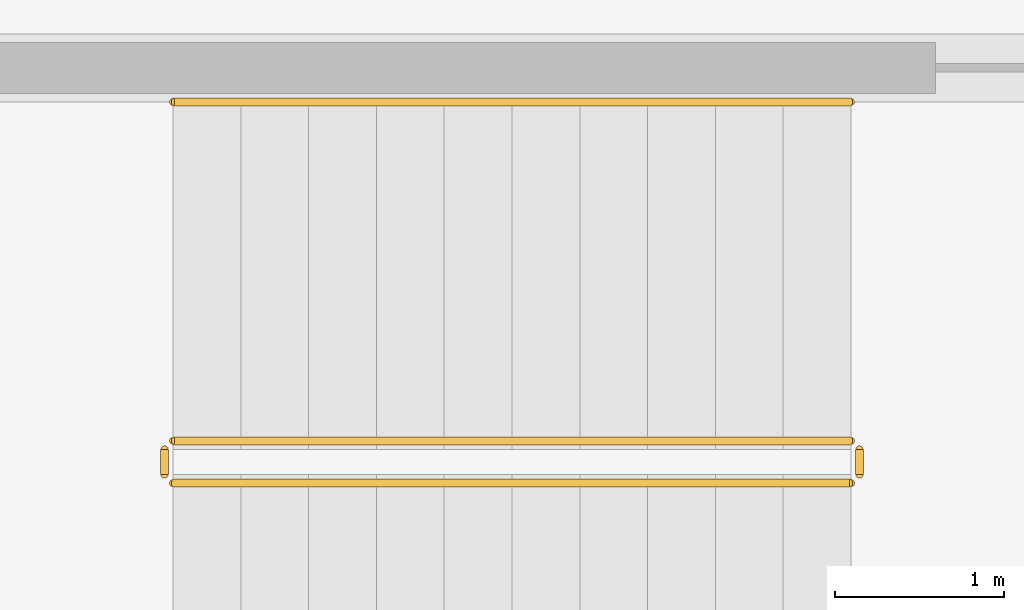
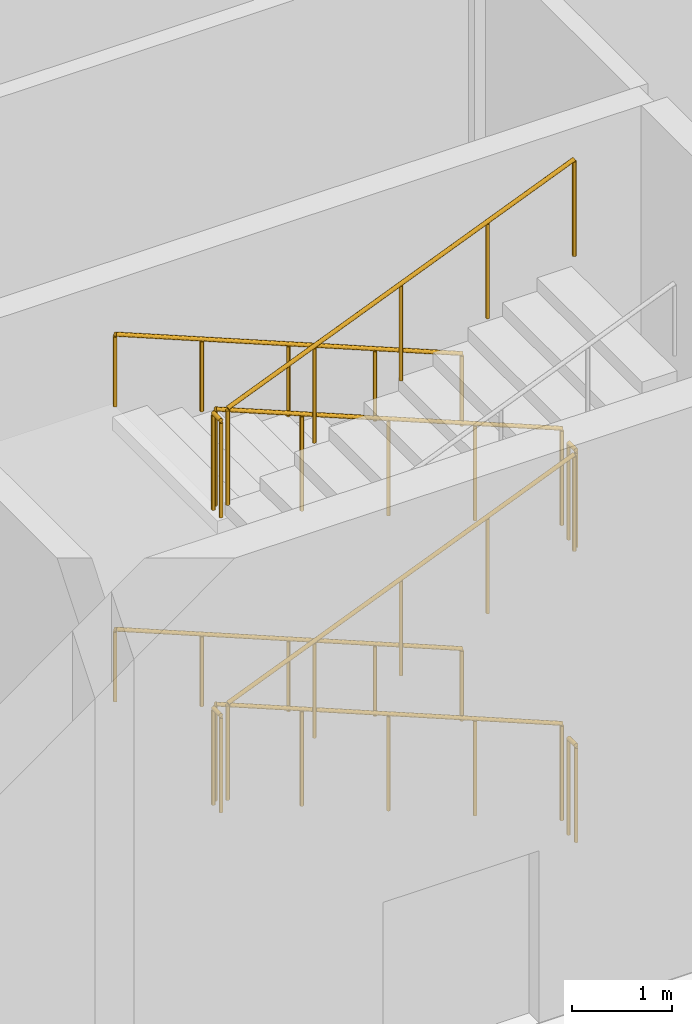
# One storey, part 210 of 239: 10 railings.
"""IFC4 building model written with IfcOpenShell, lengths in metres."""

from ifc_helpers import new_model, si_unit, direction, frame, origin, origin_2d, place, context, subcontext, project, spatial, circle, extrude, material, type_object, element, save


model = new_model("IFC4")

# Units and contexts
model_context = context("Model", 3, precision=1e-05, world=origin(), true_north=direction((0.0, 1.0)))
body_context = subcontext(model_context, "Body", "Model", "MODEL_VIEW")
ifc_project = project(units=[si_unit("LENGTHUNIT", "METRE"), si_unit("AREAUNIT", "SQUARE_METRE"), si_unit("VOLUMEUNIT", "CUBIC_METRE"), si_unit("PLANEANGLEUNIT", "RADIAN"), si_unit("MASSUNIT", "GRAM", prefix="KILO")], contexts=[model_context])

# Site, building, storey
site_placement = place(None, origin())
site = spatial("IfcSite", under=ifc_project, at=site_placement, CompositionType="ELEMENT")
building_placement = place(site_placement, origin())
building = spatial("IfcBuilding", under=site, at=building_placement, Name="Okhra Congress Centre", CompositionType="ELEMENT")
storey_placement = place(building_placement, origin())
storey = spatial("IfcBuildingStorey", under=building, at=storey_placement, Name="L00", CompositionType="ELEMENT", Elevation=0.0)

# Railings
ifc_material_1 = material(Name="Painted steel tube handrail on wall brackets", Category="steel")
railing_type_1 = type_object("IfcRailingType", Name="Steel handrail 900", PredefinedType="HANDRAIL", material=ifc_material_1)
railing_1_placement = place(storey_placement, frame((70.75, 100.52490234375, 0.16357421875)))
element("IfcRailing", 1, at=railing_1_placement, inside=storey, type_object=railing_type_1, Name="L00 B stair handrail 1", PredefinedType="HANDRAIL", context=body_context, shape_type="SweptSolid", body=[
    extrude(circle(Radius=0.02392578125, at=origin_2d()), frame((0.0, 0.0, 0.8759765625), z_axis=(-0.925537957481, 0.0, 0.378654841858), x_axis=(0.0, -1.0, 0.0)), (0.0, 0.0, 1.0), 4.32177734375),
    extrude(circle(Radius=0.02099609375, at=origin_2d()), origin(), (0.0, 0.0, 1.0), 0.851806640625),
    extrude(circle(Radius=0.02099609375, at=origin_2d()), frame((-1.0, 0.0, 0.4091796875)), (0.0, 0.0, 1.0), 0.851806640625),
    extrude(circle(Radius=0.02099609375, at=origin_2d()), frame((-2.0, 0.0, 0.818359375)), (0.0, 0.0, 1.0), 0.851806640625),
    extrude(circle(Radius=0.02099609375, at=origin_2d()), frame((-3.0, 0.0, 1.227294921875)), (0.0, 0.0, 1.0), 0.851806640625),
    extrude(circle(Radius=0.02099609375, at=origin_2d()), frame((-4.0, 0.0, 1.636474609375)), (0.0, 0.0, 1.0), 0.851806640625),
])
railing_2_placement = place(storey_placement, frame((70.75, 100.52490234375, 3.763671875)))
element("IfcRailing", 2, at=railing_2_placement, inside=storey, type_object=railing_type_1, Name="L00 B stair handrail 3", PredefinedType="HANDRAIL", context=body_context, shape_type="SweptSolid", body=[
    extrude(circle(Radius=0.02392578125, at=origin_2d()), frame((0.0, 0.0, 0.8759765625), z_axis=(-0.925557754216, 0.0, 0.378606449509), x_axis=(0.0, -1.0, 0.0)), (0.0, 0.0, 1.0), 4.32177734375),
    extrude(circle(Radius=0.02099609375, at=origin_2d()), origin(), (0.0, 0.0, 1.0), 0.851806640625),
    extrude(circle(Radius=0.02099609375, at=origin_2d()), frame((-1.0, 0.0, 0.4091796875)), (0.0, 0.0, 1.0), 0.851806640625),
    extrude(circle(Radius=0.02099609375, at=origin_2d()), frame((-2.0, 0.0, 0.818115234375)), (0.0, 0.0, 1.0), 0.851806640625),
    extrude(circle(Radius=0.02099609375, at=origin_2d()), frame((-3.0, 0.0, 1.22705078125)), (0.0, 0.0, 1.0), 0.851806640625),
    extrude(circle(Radius=0.02099609375, at=origin_2d()), frame((-4.0, 0.0, 1.63623046875)), (0.0, 0.0, 1.0), 0.851806640625),
])
ifc_material_2 = material(Name="Painted steel tube guard with vertical steel balusters", Category="steel")
railing_type_2 = type_object("IfcRailingType", Name="Steel stair guard 1200", PredefinedType="GUARDRAIL", material=ifc_material_2)
railing_3_placement = place(storey_placement, frame((70.75, 98.52490234375, 0.16357421875)))
element("IfcRailing", 3, at=railing_3_placement, inside=storey, type_object=railing_type_2, Name="L00 B stair guard 1", PredefinedType="GUARDRAIL", context=body_context, shape_type="SweptSolid", body=[
    extrude(circle(Radius=0.02392578125, at=origin_2d()), frame((0.0, 0.0, 1.17578125), z_axis=(-0.925537957481, 0.0, 0.378654841858), x_axis=(0.0, -1.0, 0.0)), (0.0, 0.0, 1.0), 4.32177734375),
    extrude(circle(Radius=0.02099609375, at=origin_2d()), origin(), (0.0, 0.0, 1.0), 1.15185546875),
    extrude(circle(Radius=0.02099609375, at=origin_2d()), frame((-1.0, 0.0, 0.4091796875)), (0.0, 0.0, 1.0), 1.15185546875),
    extrude(circle(Radius=0.02099609375, at=origin_2d()), frame((-2.0, 0.0, 0.818359375)), (0.0, 0.0, 1.0), 1.15185546875),
    extrude(circle(Radius=0.02099609375, at=origin_2d()), frame((-3.0, 0.0, 1.227294921875)), (0.0, 0.0, 1.0), 1.15185546875),
    extrude(circle(Radius=0.02099609375, at=origin_2d()), frame((-4.0, 0.0, 1.636474609375)), (0.0, 0.0, 1.0), 1.15185546875),
])
railing_4_placement = place(storey_placement, frame((66.699951171875, 98.47509765625, 1.800048828125)))
element("IfcRailing", 4, at=railing_4_placement, inside=storey, type_object=railing_type_2, Name="L00 B stair guard 2", PredefinedType="GUARDRAIL", context=body_context, shape_type="SweptSolid", body=[
    extrude(circle(Radius=0.02392578125, at=origin_2d()), frame((0.0, 0.0, 1.17578125), z_axis=(0.0, -1.0, 0.0), x_axis=(1.0, 0.0, 0.0)), (0.0, 0.0, 1.0), 0.150146484375),
    extrude(circle(Radius=0.02099609375, at=origin_2d()), origin(), (0.0, 0.0, 1.0), 1.15185546875),
    extrude(circle(Radius=0.02099609375, at=origin_2d()), frame((0.0, -0.150146484375, 0.0)), (0.0, 0.0, 1.0), 1.15185546875),
])
railing_5_placement = place(storey_placement, frame((66.75, 98.27490234375, 1.963623046875)))
element("IfcRailing", 5, at=railing_5_placement, inside=storey, type_object=railing_type_2, Name="L00 B stair guard 3", PredefinedType="GUARDRAIL", context=body_context, shape_type="SweptSolid", body=[
    extrude(circle(Radius=0.02392578125, at=origin_2d()), frame((0.0, 0.0, 1.17578125), z_axis=(0.925537957481, 0.0, 0.378654841858), x_axis=(0.0, 1.0, 0.0)), (0.0, 0.0, 1.0), 4.32177734375),
    extrude(circle(Radius=0.02099609375, at=origin_2d()), origin(), (0.0, 0.0, 1.0), 1.15185546875),
    extrude(circle(Radius=0.02099609375, at=origin_2d()), frame((1.0, 0.0, 0.4091796875)), (0.0, 0.0, 1.0), 1.15185546875),
    extrude(circle(Radius=0.02099609375, at=origin_2d()), frame((2.0, 0.0, 0.818359375)), (0.0, 0.0, 1.0), 1.15185546875),
    extrude(circle(Radius=0.02099609375, at=origin_2d()), frame((3.0, 0.0, 1.227294921875)), (0.0, 0.0, 1.0), 1.15185546875),
    extrude(circle(Radius=0.02099609375, at=origin_2d()), frame((4.0, 0.0, 1.636474609375)), (0.0, 0.0, 1.0), 1.15185546875),
])
railing_6_placement = place(storey_placement, frame((70.800048828125, 98.47509765625, 3.60009765625)))
element("IfcRailing", 6, at=railing_6_placement, inside=storey, type_object=railing_type_2, Name="L00 B stair guard 4", PredefinedType="GUARDRAIL", context=body_context, shape_type="SweptSolid", body=[
    extrude(circle(Radius=0.02392578125, at=origin_2d()), frame((0.0, 0.0, 1.17578125), z_axis=(0.0, -1.0, 0.0), x_axis=(1.0, 0.0, 0.0)), (0.0, 0.0, 1.0), 0.150146484375),
    extrude(circle(Radius=0.02099609375, at=origin_2d()), origin(), (0.0, 0.0, 1.0), 1.15185546875),
    extrude(circle(Radius=0.02099609375, at=origin_2d()), frame((0.0, -0.150146484375, 0.0)), (0.0, 0.0, 1.0), 1.15185546875),
])
railing_7_placement = place(storey_placement, frame((70.75, 98.52490234375, 3.763671875)))
element("IfcRailing", 7, at=railing_7_placement, inside=storey, type_object=railing_type_2, Name="L00 B stair guard 5", PredefinedType="GUARDRAIL", context=body_context, shape_type="SweptSolid", body=[
    extrude(circle(Radius=0.02392578125, at=origin_2d()), frame((0.0, 0.0, 1.17578125), z_axis=(-0.925557754216, 0.0, 0.378606449509), x_axis=(0.0, -1.0, 0.0)), (0.0, 0.0, 1.0), 4.32177734375),
    extrude(circle(Radius=0.02099609375, at=origin_2d()), origin(), (0.0, 0.0, 1.0), 1.15185546875),
    extrude(circle(Radius=0.02099609375, at=origin_2d()), frame((-1.0, 0.0, 0.4091796875)), (0.0, 0.0, 1.0), 1.15185546875),
    extrude(circle(Radius=0.02099609375, at=origin_2d()), frame((-2.0, 0.0, 0.818115234375)), (0.0, 0.0, 1.0), 1.15185546875),
    extrude(circle(Radius=0.02099609375, at=origin_2d()), frame((-3.0, 0.0, 1.22705078125)), (0.0, 0.0, 1.0), 1.15185546875),
    extrude(circle(Radius=0.02099609375, at=origin_2d()), frame((-4.0, 0.0, 1.63623046875)), (0.0, 0.0, 1.0), 1.15185546875),
])
railing_8_placement = place(storey_placement, frame((66.699951171875, 98.47509765625, 5.39990234375)))
element("IfcRailing", 8, at=railing_8_placement, inside=storey, type_object=railing_type_2, Name="L00 B stair guard 6", PredefinedType="GUARDRAIL", context=body_context, shape_type="SweptSolid", body=[
    extrude(circle(Radius=0.02392578125, at=origin_2d()), frame((0.0, 0.0, 1.17578125), z_axis=(0.0, -1.0, 0.0), x_axis=(1.0, 0.0, 0.0)), (0.0, 0.0, 1.0), 0.150146484375),
    extrude(circle(Radius=0.02099609375, at=origin_2d()), origin(), (0.0, 0.0, 1.0), 1.15185546875),
    extrude(circle(Radius=0.02099609375, at=origin_2d()), frame((0.0, -0.150146484375, 0.0)), (0.0, 0.0, 1.0), 1.15185546875),
])
railing_9_placement = place(storey_placement, frame((66.75, 98.27490234375, 5.563720703125)))
element("IfcRailing", 9, at=railing_9_placement, inside=storey, type_object=railing_type_2, Name="L00 B stair guard 7", PredefinedType="GUARDRAIL", context=body_context, shape_type="SweptSolid", body=[
    extrude(circle(Radius=0.02392578125, at=origin_2d()), frame((0.0, 0.0, 1.17578125), z_axis=(0.925557754216, 0.0, 0.378606449509), x_axis=(0.0, 1.0, 0.0)), (0.0, 0.0, 1.0), 4.32177734375),
    extrude(circle(Radius=0.02099609375, at=origin_2d()), origin(), (0.0, 0.0, 1.0), 1.15185546875),
    extrude(circle(Radius=0.02099609375, at=origin_2d()), frame((1.0, 0.0, 0.4091796875)), (0.0, 0.0, 1.0), 1.15185546875),
    extrude(circle(Radius=0.02099609375, at=origin_2d()), frame((2.0, 0.0, 0.818115234375)), (0.0, 0.0, 1.0), 1.15185546875),
    extrude(circle(Radius=0.02099609375, at=origin_2d()), frame((3.0, 0.0, 1.22705078125)), (0.0, 0.0, 1.0), 1.15185546875),
    extrude(circle(Radius=0.02099609375, at=origin_2d()), frame((4.0, 0.0, 1.63623046875)), (0.0, 0.0, 1.0), 1.15185546875),
])
railing_10_placement = place(storey_placement, frame((70.800048828125, 98.47509765625, 0.0)))
element("IfcRailing", 10, at=railing_10_placement, inside=storey, type_object=railing_type_2, Name="L00 B stair guard 8", PredefinedType="GUARDRAIL", context=body_context, shape_type="SweptSolid", body=[
    extrude(circle(Radius=0.02392578125, at=origin_2d()), frame((0.0, 0.0, 1.17578125), z_axis=(0.0, -1.0, 0.0), x_axis=(1.0, 0.0, 0.0)), (0.0, 0.0, 1.0), 0.150146484375),
    extrude(circle(Radius=0.02099609375, at=origin_2d()), origin(), (0.0, 0.0, 1.0), 1.15185546875),
    extrude(circle(Radius=0.02099609375, at=origin_2d()), frame((0.0, -0.150146484375, 0.0)), (0.0, 0.0, 1.0), 1.15185546875),
])

save(model, "model.ifc")
